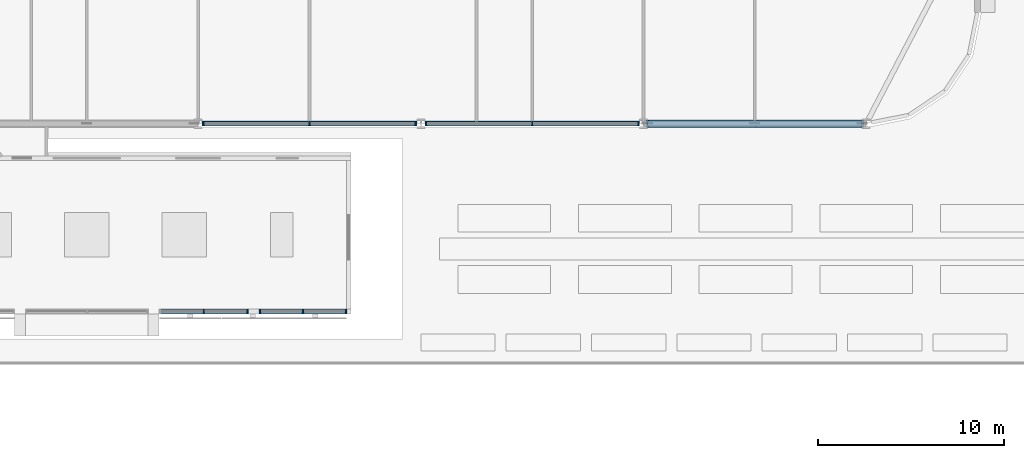
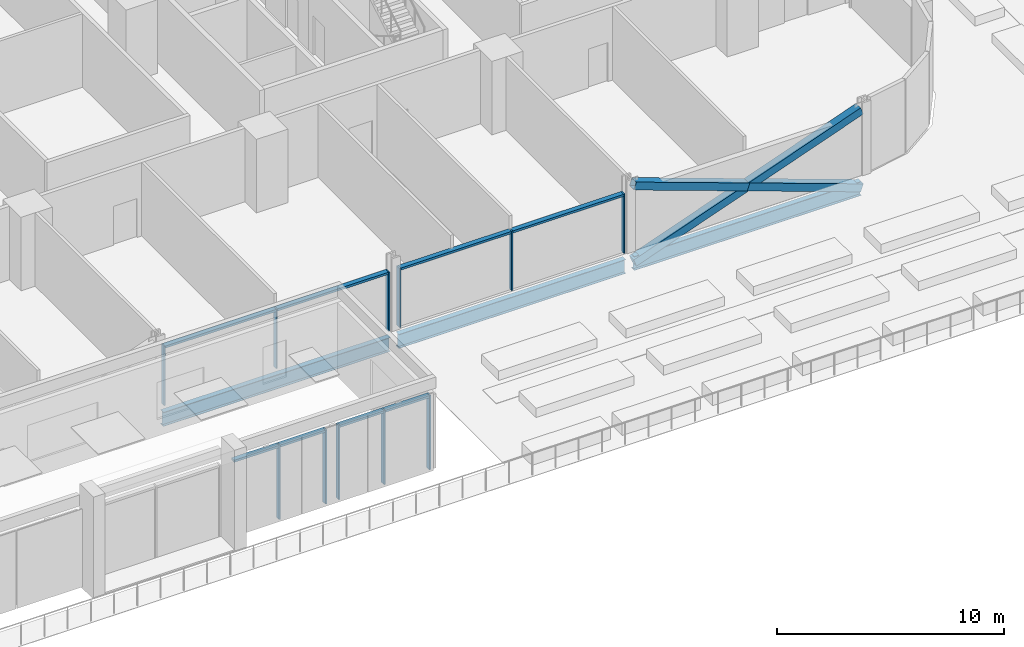
# One storey, part 6 of 39: 22 members, 3 beams, 4 elements without a shape of their own.
"""IFC4 building model written with IfcOpenShell, lengths in metres."""

from ifc_helpers import new_model, si_unit, direction, frame, origin, origin_2d, place, context, subcontext, project, spatial, rectangle, hollow_rectangle, i_section, extrude, material, material_profile, profile_set, type_object, element, aggregate, save


model = new_model("IFC4")

# Units and contexts
model_context = context("Model", 3, precision=1e-05, world=origin(), true_north=direction((0.0, 1.0)))
body_context = subcontext(model_context, "Body", "Model", "MODEL_VIEW")
ifc_project = project(units=[si_unit("LENGTHUNIT", "METRE"), si_unit("AREAUNIT", "SQUARE_METRE"), si_unit("VOLUMEUNIT", "CUBIC_METRE"), si_unit("PLANEANGLEUNIT", "RADIAN"), si_unit("MASSUNIT", "GRAM", prefix="KILO")], contexts=[model_context])

# Site, building, storey
site_placement = place(None, origin())
site = spatial("IfcSite", under=ifc_project, at=site_placement, CompositionType="ELEMENT")
building_placement = place(site_placement, origin())
building = spatial("IfcBuilding", under=site, at=building_placement, Name="Mahtab Terrace Research Tower", CompositionType="ELEMENT")
storey_placement = place(building_placement, frame((0.0, 0.0, 7.199951171875)))
storey = spatial("IfcBuildingStorey", under=building, at=storey_placement, Name="L01", CompositionType="ELEMENT", Elevation=7.199951171875)

# Curtain wall, members
ifc_material_1 = material(Name="Garden pavilion curtain wall")
curtain_wall_type_1 = type_object("IfcCurtainWallType", Name="Garden pavilion curtain wall", PredefinedType="NOTDEFINED", material=ifc_material_1)
curtain_wall_1_placement = place(storey_placement, origin())
curtain_wall_1 = element("IfcCurtainWall", 1, at=curtain_wall_1_placement, inside=storey, type_object=curtain_wall_type_1, Name="PAV.cw.3", PredefinedType="NOTDEFINED")
ifc_material_2 = material(Name="Natural anodised aluminium", Category="aluminium")
ifc_material_profile_1 = material_profile(ifc_material_2, rectangle(XDim=0.239990234375, YDim=0.074951171875, at=origin_2d()), Name="MULLION 75x240")
ifc_profile_set_1 = profile_set([ifc_material_profile_1], Name="Natural anodised aluminium")
member_type_1 = type_object("IfcMemberType", Name="Garden pavilion curtain wall mullion", PredefinedType="MULLION", material=ifc_profile_set_1)
member_1_placement = place(storey_placement, frame((6.300048828125, -33.125, 0.0), z_axis=(0.0, 0.0, 1.0), x_axis=(0.0, 1.0, 0.0)))
member_1 = element("IfcMember", 2, at=member_1_placement, type_object=member_type_1, Name="CWP-1 mullion 2", PredefinedType="MULLION", context=body_context, shape_type="SweptSolid", body=[
    extrude(rectangle(XDim=0.239990234375, YDim=0.074951171875, at=origin_2d()), origin(), (0.0, 0.0, 1.0), 4.0),
])
member_2_placement = place(storey_placement, frame((8.66259765625, -33.125, 0.0), z_axis=(0.0, 0.0, 1.0), x_axis=(0.0, 1.0, 0.0)))
member_2 = element("IfcMember", 3, at=member_2_placement, type_object=member_type_1, Name="CWP-1 mullion 3", PredefinedType="MULLION", context=body_context, shape_type="SweptSolid", body=[
    extrude(rectangle(XDim=0.239990234375, YDim=0.074951171875, at=origin_2d()), origin(), (0.0, 0.0, 1.0), 4.0),
])

curtain_wall_2_placement = place(storey_placement, origin())
curtain_wall_2 = element("IfcCurtainWall", 4, at=curtain_wall_2_placement, inside=storey, type_object=curtain_wall_type_1, Name="PAV.cw.4", PredefinedType="NOTDEFINED")
member_3_placement = place(storey_placement, frame((9.33740234375, -33.125, 0.0), z_axis=(0.0, 0.0, 1.0), x_axis=(0.0, 1.0, 0.0)))
member_3 = element("IfcMember", 5, at=member_3_placement, type_object=member_type_1, Name="CWP-1 mullion 1", PredefinedType="MULLION", context=body_context, shape_type="SweptSolid", body=[
    extrude(rectangle(XDim=0.239990234375, YDim=0.074951171875, at=origin_2d()), origin(), (0.0, 0.0, 1.0), 4.0),
])
member_4_placement = place(storey_placement, frame((11.64990234375, -33.125, 0.0), z_axis=(0.0, 0.0, 1.0), x_axis=(0.0, 1.0, 0.0)))
member_4 = element("IfcMember", 6, at=member_4_placement, type_object=member_type_1, Name="CWP-1 mullion 2", PredefinedType="MULLION", context=body_context, shape_type="SweptSolid", body=[
    extrude(rectangle(XDim=0.239990234375, YDim=0.074951171875, at=origin_2d()), origin(), (0.0, 0.0, 1.0), 4.0),
])
member_5_placement = place(storey_placement, frame((13.96240234375, -33.125, 0.0), z_axis=(0.0, 0.0, 1.0), x_axis=(0.0, 1.0, 0.0)))
member_5 = element("IfcMember", 7, at=member_5_placement, type_object=member_type_1, Name="CWP-1 mullion 3", PredefinedType="MULLION", context=body_context, shape_type="SweptSolid", body=[
    extrude(rectangle(XDim=0.239990234375, YDim=0.074951171875, at=origin_2d()), origin(), (0.0, 0.0, 1.0), 4.0),
])

# Member
ifc_material_profile_2 = material_profile(ifc_material_2, rectangle(XDim=0.239990234375, YDim=0.1201171875, at=origin_2d()), Name="TRANSOM 120x240")
ifc_profile_set_2 = profile_set([ifc_material_profile_2], Name="Natural anodised aluminium")
member_type_2 = type_object("IfcMemberType", Name="Garden pavilion curtain wall transom", PredefinedType="USERDEFINED", material=ifc_profile_set_2)
member_6_placement = place(storey_placement, frame((3.97509765625, -33.125, 3.93994140625), z_axis=(1.0, 0.0, 0.0), x_axis=(0.0, 1.0, 0.0)))
member_6 = element("IfcMember", 8, at=member_6_placement, type_object=member_type_2, Name="CWP-1 transom 1", ObjectType="TRANSOM", PredefinedType="USERDEFINED", context=body_context, shape_type="SweptSolid", body=[
    extrude(rectangle(XDim=0.239990234375, YDim=0.1201171875, at=origin_2d()), origin(), (0.0, 0.0, 1.0), 2.287353515625),
])

member_7_placement = place(storey_placement, frame((6.33740234375, -33.125, 3.93994140625), z_axis=(1.0, 0.0, 0.0), x_axis=(0.0, 1.0, 0.0)))
member_7 = element("IfcMember", 9, at=member_7_placement, type_object=member_type_2, Name="CWP-1 transom 2", ObjectType="TRANSOM", PredefinedType="USERDEFINED", context=body_context, shape_type="SweptSolid", body=[
    extrude(rectangle(XDim=0.239990234375, YDim=0.1201171875, at=origin_2d()), origin(), (0.0, 0.0, 1.0), 2.28759765625),
])

aggregate(curtain_wall_1, [member_1, member_2, member_6, member_7])

member_8_placement = place(storey_placement, frame((9.375, -33.125, 3.93994140625), z_axis=(1.0, 0.0, 0.0), x_axis=(0.0, 1.0, 0.0)))
member_8 = element("IfcMember", 10, at=member_8_placement, type_object=member_type_2, Name="CWP-1 transom 1", ObjectType="TRANSOM", PredefinedType="USERDEFINED", context=body_context, shape_type="SweptSolid", body=[
    extrude(rectangle(XDim=0.239990234375, YDim=0.1201171875, at=origin_2d()), origin(), (0.0, 0.0, 1.0), 2.237548828125),
])

member_9_placement = place(storey_placement, frame((11.6875, -33.125, 3.93994140625), z_axis=(1.0, 0.0, 0.0), x_axis=(0.0, 1.0, 0.0)))
member_9 = element("IfcMember", 11, at=member_9_placement, type_object=member_type_2, Name="CWP-1 transom 2", ObjectType="TRANSOM", PredefinedType="USERDEFINED", context=body_context, shape_type="SweptSolid", body=[
    extrude(rectangle(XDim=0.239990234375, YDim=0.1201171875, at=origin_2d()), origin(), (0.0, 0.0, 1.0), 2.237548828125),
])

aggregate(curtain_wall_2, [member_3, member_4, member_5, member_8, member_9])

# Members
ifc_material_3 = material(Name="Steel ASTM A500 Gr C", Category="steel")
ifc_material_profile_3 = material_profile(ifc_material_3, hollow_rectangle(XDim=0.406494140625, YDim=0.406494140625, WallThickness=0.01904296875, at=origin_2d()), Name="HSS16X16X3/4")
ifc_profile_set_3 = profile_set([ifc_material_profile_3], Name="Steel ASTM A500 Gr C")
member_type_3 = type_object("IfcMemberType", Name="HSS 16x16x3/4 brace XB161634", PredefinedType="BRACE", material=ifc_profile_set_3)
member_10_placement = place(storey_placement, frame((30.2158203125, -23.0, -0.64111328125), z_axis=(0.941388097231, 0.0, 0.337325436917), x_axis=(0.0, 1.0, 0.0)))
element("IfcMember", 12, at=member_10_placement, inside=storey, type_object=member_type_3, Name="Exoskeleton brace L01 18 a", PredefinedType="BRACE", context=body_context, shape_type="SweptSolid", body=[
    extrude(hollow_rectangle(XDim=0.406494140625, YDim=0.406494140625, WallThickness=0.01904296875, at=origin_2d()), origin(), (0.0, 0.0, 1.0), 12.28857421875),
])
for number, where, z_axis, x_axis, name in (
    (13, (41.7841796875, -23.0, -0.64111328125), (-0.941381788192, 0.0, 0.337343043295), (0.0, -1.0, 0.0), "Exoskeleton brace L01 18 b1"),
    (14, (36.0, -23.0, 1.431640625), (-0.941394406025, 0.0, 0.337307830185), (0.0, -1.0, 0.0), "Exoskeleton brace L01 18 b2"),
):
    element("IfcMember", number, at=place(storey_placement, frame(where, z_axis=z_axis, x_axis=x_axis)), inside=storey, type_object=member_type_3, Name=name, PredefinedType="BRACE", context=body_context, shape_type="SweptSolid", body=[
        extrude(hollow_rectangle(XDim=0.406494140625, YDim=0.406494140625, WallThickness=0.01904296875, at=origin_2d()), origin(), (0.0, 0.0, 1.0), 6.144287109375),
    ])

# Curtain wall, members
ifc_material_4 = material(Name="Sky lounge full-height curtain wall")
curtain_wall_type_2 = type_object("IfcCurtainWallType", Name="Sky lounge full-height curtain wall", PredefinedType="NOTDEFINED", material=ifc_material_4)
curtain_wall_3_placement = place(storey_placement, origin())
curtain_wall_3 = element("IfcCurtainWall", 15, at=curtain_wall_3_placement, inside=storey, type_object=curtain_wall_type_2, Name="EN.L01.13.26", PredefinedType="NOTDEFINED")
ifc_material_profile_4 = material_profile(ifc_material_2, rectangle(XDim=0.25, YDim=0.070068359375, at=origin_2d()), Name="MULLION 70x250")
ifc_profile_set_4 = profile_set([ifc_material_profile_4], Name="Natural anodised aluminium")
member_type_4 = type_object("IfcMemberType", Name="Sky lounge full-height curtain wall mullion", PredefinedType="MULLION", material=ifc_profile_set_4)
member_11_placement = place(storey_placement, frame((6.283935546875, -23.0, 0.0), z_axis=(0.0, 0.0, 1.0), x_axis=(0.0, 1.0, 0.0)))
member_11 = element("IfcMember", 16, at=member_11_placement, type_object=member_type_4, Name="CWS-1 mullion 1", PredefinedType="MULLION", context=body_context, shape_type="SweptSolid", body=[
    extrude(rectangle(XDim=0.25, YDim=0.070068359375, at=origin_2d()), origin(), (0.0, 0.0, 1.0), 3.203125),
])
member_12_placement = place(storey_placement, frame((12.0, -23.0, 0.0), z_axis=(0.0, 0.0, 1.0), x_axis=(0.0, 1.0, 0.0)))
member_12 = element("IfcMember", 17, at=member_12_placement, type_object=member_type_4, Name="CWS-1 mullion 2", PredefinedType="MULLION", context=body_context, shape_type="SweptSolid", body=[
    extrude(rectangle(XDim=0.25, YDim=0.070068359375, at=origin_2d()), origin(), (0.0, 0.0, 1.0), 3.203125),
])
member_13_placement = place(storey_placement, frame((17.716064453125, -23.0, 0.0), z_axis=(0.0, 0.0, 1.0), x_axis=(0.0, 1.0, 0.0)))
member_13 = element("IfcMember", 18, at=member_13_placement, type_object=member_type_4, Name="CWS-1 mullion 3", PredefinedType="MULLION", context=body_context, shape_type="SweptSolid", body=[
    extrude(rectangle(XDim=0.25, YDim=0.070068359375, at=origin_2d()), origin(), (0.0, 0.0, 1.0), 3.203125),
])

curtain_wall_4_placement = place(storey_placement, origin())
curtain_wall_4 = element("IfcCurtainWall", 19, at=curtain_wall_4_placement, inside=storey, type_object=curtain_wall_type_2, Name="EN.L01.13.27", PredefinedType="NOTDEFINED")
member_14_placement = place(storey_placement, frame((18.283935546875, -23.0, 0.0), z_axis=(0.0, 0.0, 1.0), x_axis=(0.0, 1.0, 0.0)))
member_14 = element("IfcMember", 20, at=member_14_placement, type_object=member_type_4, Name="CWS-1 mullion 1", PredefinedType="MULLION", context=body_context, shape_type="SweptSolid", body=[
    extrude(rectangle(XDim=0.25, YDim=0.070068359375, at=origin_2d()), origin(), (0.0, 0.0, 1.0), 3.203125),
])
member_15_placement = place(storey_placement, frame((24.0, -23.0, 0.0), z_axis=(0.0, 0.0, 1.0), x_axis=(0.0, 1.0, 0.0)))
member_15 = element("IfcMember", 21, at=member_15_placement, type_object=member_type_4, Name="CWS-1 mullion 2", PredefinedType="MULLION", context=body_context, shape_type="SweptSolid", body=[
    extrude(rectangle(XDim=0.25, YDim=0.070068359375, at=origin_2d()), origin(), (0.0, 0.0, 1.0), 3.203125),
])
member_16_placement = place(storey_placement, frame((29.716064453125, -23.0, 0.0), z_axis=(0.0, 0.0, 1.0), x_axis=(0.0, 1.0, 0.0)))
member_16 = element("IfcMember", 22, at=member_16_placement, type_object=member_type_4, Name="CWS-1 mullion 3", PredefinedType="MULLION", context=body_context, shape_type="SweptSolid", body=[
    extrude(rectangle(XDim=0.25, YDim=0.070068359375, at=origin_2d()), origin(), (0.0, 0.0, 1.0), 3.203125),
])

# Member
ifc_material_profile_5 = material_profile(ifc_material_2, rectangle(XDim=0.25, YDim=0.1201171875, at=origin_2d()), Name="TRANSOM 120x250")
ifc_profile_set_5 = profile_set([ifc_material_profile_5], Name="Natural anodised aluminium")
member_type_5 = type_object("IfcMemberType", Name="Sky lounge full-height curtain wall transom", PredefinedType="USERDEFINED", material=ifc_profile_set_5)
member_17_placement = place(storey_placement, frame((6.319091796875, -23.0, 3.14306640625), z_axis=(1.0, 0.0, 0.0), x_axis=(0.0, 1.0, 0.0)))
member_17 = element("IfcMember", 23, at=member_17_placement, type_object=member_type_5, Name="CWS-1 transom 1", ObjectType="TRANSOM", PredefinedType="USERDEFINED", context=body_context, shape_type="SweptSolid", body=[
    extrude(rectangle(XDim=0.25, YDim=0.1201171875, at=origin_2d()), origin(), (0.0, 0.0, 1.0), 5.64599609375),
])

member_18_placement = place(storey_placement, frame((12.034912109375, -23.0, 3.14306640625), z_axis=(1.0, 0.0, 0.0), x_axis=(0.0, 1.0, 0.0)))
member_18 = element("IfcMember", 24, at=member_18_placement, type_object=member_type_5, Name="CWS-1 transom 2", ObjectType="TRANSOM", PredefinedType="USERDEFINED", context=body_context, shape_type="SweptSolid", body=[
    extrude(rectangle(XDim=0.25, YDim=0.1201171875, at=origin_2d()), origin(), (0.0, 0.0, 1.0), 5.64599609375),
])

aggregate(curtain_wall_3, [member_11, member_12, member_13, member_17, member_18])

member_19_placement = place(storey_placement, frame((18.319091796875, -23.0, 3.14306640625), z_axis=(1.0, 0.0, 0.0), x_axis=(0.0, 1.0, 0.0)))
member_19 = element("IfcMember", 25, at=member_19_placement, type_object=member_type_5, Name="CWS-1 transom 1", ObjectType="TRANSOM", PredefinedType="USERDEFINED", context=body_context, shape_type="SweptSolid", body=[
    extrude(rectangle(XDim=0.25, YDim=0.1201171875, at=origin_2d()), origin(), (0.0, 0.0, 1.0), 5.64599609375),
])

member_20_placement = place(storey_placement, frame((24.034912109375, -23.0, 3.14306640625), z_axis=(1.0, 0.0, 0.0), x_axis=(0.0, 1.0, 0.0)))
member_20 = element("IfcMember", 26, at=member_20_placement, type_object=member_type_5, Name="CWS-1 transom 2", ObjectType="TRANSOM", PredefinedType="USERDEFINED", context=body_context, shape_type="SweptSolid", body=[
    extrude(rectangle(XDim=0.25, YDim=0.1201171875, at=origin_2d()), origin(), (0.0, 0.0, 1.0), 5.64599609375),
])

aggregate(curtain_wall_4, [member_14, member_15, member_16, member_19, member_20])

# Beams
ifc_material_5 = material(Name="Steel ASTM A992 Gr 50", Category="steel")
ifc_material_profile_6 = material_profile(ifc_material_5, i_section(OverallWidth=0.2666015625, OverallDepth=0.7568359375, WebThickness=0.013916015625, FlangeThickness=0.019287109375, at=origin_2d()), Name="W30X108")
ifc_profile_set_6 = profile_set([ifc_material_profile_6], Name="Steel ASTM A992 Gr 50")
beam_type = type_object("IfcBeamType", Name="W30x108 beam BS30108", PredefinedType="BEAM", material=ifc_profile_set_6)
for number, where, z_axis, x_axis, name in (
    (27, (6.2158203125, -23.0, -0.718505859375), (1.0, 0.0, 0.0), (0.0, 1.0, 0.0), "Spandrel beam L01 16"),
    (28, (18.2158203125, -23.0, -0.718505859375), (1.0, 0.0, 0.0), (0.0, 1.0, 0.0), "Spandrel beam L01 17"),
    (29, (30.2158203125, -23.0, -0.718505859375), (1.0, 0.0, 0.0), (0.0, 1.0, 0.0), "Spandrel beam L01 18"),
):
    element("IfcBeam", number, at=place(storey_placement, frame(where, z_axis=z_axis, x_axis=x_axis)), inside=storey, type_object=beam_type, Name=name, PredefinedType="BEAM", context=body_context, shape_type="SweptSolid", body=[
        extrude(i_section(OverallWidth=0.2666015625, OverallDepth=0.7568359375, WebThickness=0.013916015625, FlangeThickness=0.019287109375, at=origin_2d()), origin(), (0.0, 0.0, 1.0), 11.568359375),
    ])

save(model, "model.ifc")
